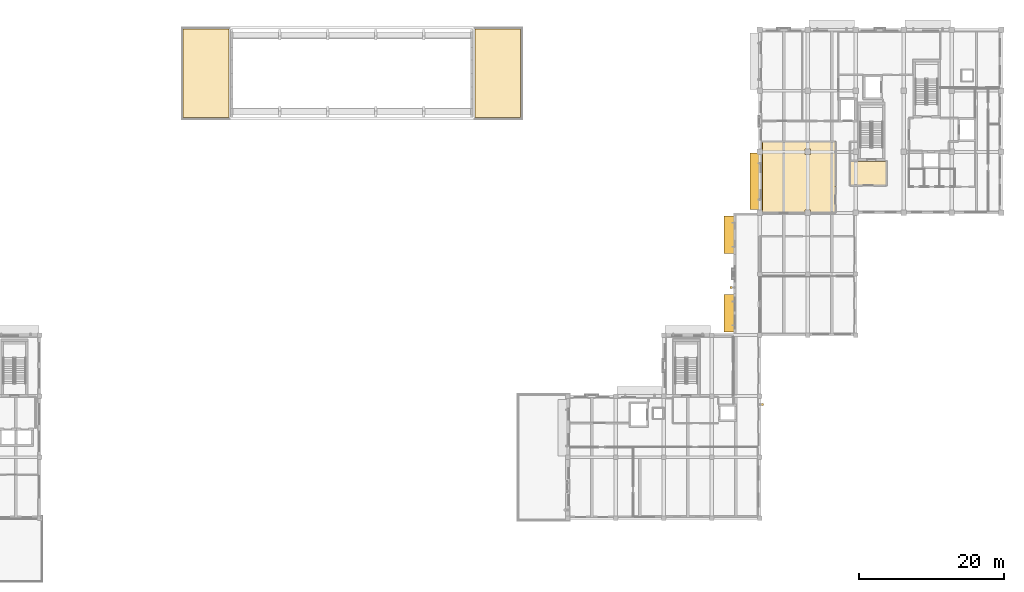
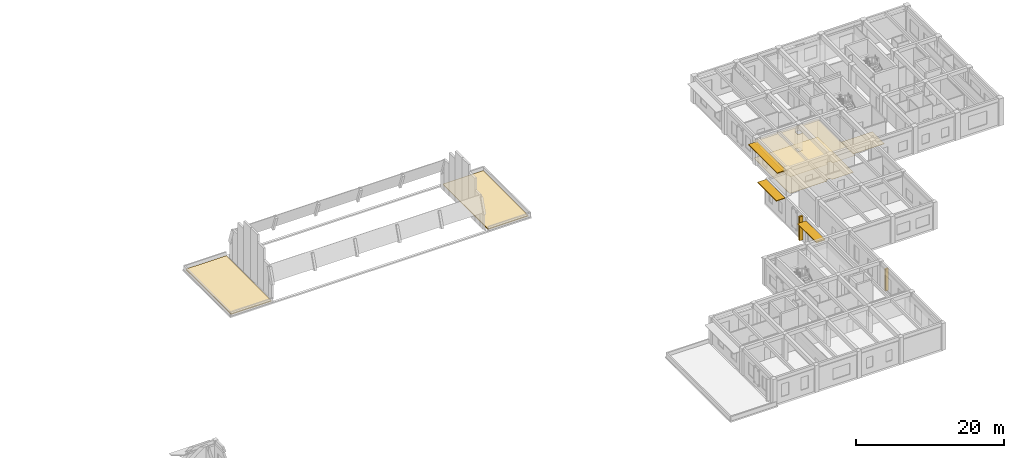
# One storey, part 23 of 25: 5 coverings, 5 shading devices.
"""IFC4 building model written with IfcOpenShell, lengths in metres."""

from ifc_helpers import new_model, si_unit, direction, frame, origin, origin_2d, place, context, subcontext, project, spatial, polyline, rectangle, outline, extrude, material, layer, layer_set, type_object, element, save


model = new_model("IFC4")

# Units and contexts
model_context = context("Model", 3, precision=1e-05, world=origin(), true_north=direction((0.0, 1.0)))
body_context = subcontext(model_context, "Body", "Model", "MODEL_VIEW")
ifc_project = project(units=[si_unit("LENGTHUNIT", "METRE"), si_unit("AREAUNIT", "SQUARE_METRE"), si_unit("VOLUMEUNIT", "CUBIC_METRE"), si_unit("PLANEANGLEUNIT", "RADIAN"), si_unit("MASSUNIT", "GRAM", prefix="KILO")], contexts=[model_context])

# Site, building, storey
site_placement = place(None, origin())
site = spatial("IfcSite", under=ifc_project, at=site_placement, CompositionType="ELEMENT")
building_placement = place(site_placement, origin())
building = spatial("IfcBuilding", under=site, at=building_placement, Name="Kolvaren Faculty of Natural Sciences", CompositionType="ELEMENT")
storey_placement = place(building_placement, frame((0.0, 0.0, 19.5)))
storey = spatial("IfcBuildingStorey", under=building, at=storey_placement, Name="L04", CompositionType="ELEMENT", Elevation=19.5)

# Covering
ifc_material_1 = material(Name="Perforated mineral-fibre acoustic suspended ceiling tile")
ifc_layer_1 = layer(ifc_material_1, 0.02490234375)
ifc_layer_set_1 = layer_set([ifc_layer_1], Name="Perforated mineral-fibre acoustic suspended ceiling tile")
covering_type_1 = type_object("IfcCoveringType", Name="AcousticSuspendedCeiling_25", PredefinedType="CEILING", material=ifc_layer_set_1)
covering_1_placement = place(storey_placement, frame((0.0, 0.0, 2.824951171875)))
element("IfcCovering", 1, at=covering_1_placement, inside=storey, type_object=covering_type_1, Name="L04 L04 Principal Investigator Research Laboratory acoustic ceiling", PredefinedType="CEILING", context=body_context, shape_type="SweptSolid", body=[
    extrude(outline(polyline([(139.02001953125, 67.02490234375), (139.175048828125, 67.02490234375), (139.175048828125, 67.77490234375), (139.02001953125, 67.77490234375), (139.02001953125, 68.8798828125), (149.280029296875, 68.8798828125), (149.280029296875, 58.919921875), (145.77490234375, 58.919921875), (145.77490234375, 59.375), (145.02490234375, 59.375), (145.02490234375, 58.919921875), (139.175048828125, 58.919921875), (139.175048828125, 59.375), (139.02001953125, 59.375), (139.02001953125, 67.02490234375)]), holes=[polyline([(145.02490234375, 67.02490234375), (145.77490234375, 67.02490234375), (145.77490234375, 67.77490234375), (145.02490234375, 67.77490234375), (145.02490234375, 67.02490234375)])]), origin(), (0.0, 0.0, 1.0), 0.025146484375),
])

# Shading devices
ifc_material_2 = material(Name="Precast concrete C35/45", Category="concrete")
ifc_layer_2 = layer(ifc_material_2, 0.1201171875)
ifc_layer_set_2 = layer_set([ifc_layer_2], Name="Precast concrete C35/45")
shading_device_type_1 = type_object("IfcShadingDeviceType", Name="ChhajjaSolarHood_1350", PredefinedType="AWNING", material=ifc_layer_set_2)
for number, where, z_axis, x_axis, name in (
    (2, (134.544921875, 45.199951171875, 3.64501953125), (0.0, 0.0, 1.0), (0.0, 1.0, 0.0), "L04 precast sandstone chhajja solar hood 125"),
    (3, (134.544921875, 56.0, 3.9599609375), (0.0, 0.0, 1.0), (0.0, 1.0, 0.0), "L04 precast sandstone chhajja solar hood 126"),
):
    element("IfcShadingDevice", number, at=place(storey_placement, frame(where, z_axis=z_axis, x_axis=x_axis)), inside=storey, type_object=shading_device_type_1, Name=name, PredefinedType="AWNING", context=body_context, shape_type="SweptSolid", body=[
        extrude(rectangle(XDim=5.10009765625, YDim=1.35009765625, at=origin_2d()), origin(), (0.0, 0.0, 1.0), 0.1201171875),
    ])
shading_device_1_placement = place(storey_placement, frame((138.14501953125, 63.35009765625, 3.64501953125), z_axis=(0.0, 0.0, 1.0), x_axis=(0.0, 1.0, 0.0)))
element("IfcShadingDevice", 4, at=shading_device_1_placement, inside=storey, type_object=shading_device_type_1, Name="L04 precast sandstone chhajja solar hood 127", PredefinedType="AWNING", context=body_context, shape_type="SweptSolid", body=[
    extrude(rectangle(XDim=7.800048828125, YDim=1.35009765625, at=origin_2d()), origin(), (0.0, 0.0, 1.0), 0.1201171875),
])
ifc_layer_3 = layer(ifc_material_2, 0.280029296875)
ifc_layer_set_3 = layer_set([ifc_layer_3], Name="Precast concrete C35/45")
shading_device_type_2 = type_object("IfcShadingDeviceType", Name="FacadeReliefFin_280x520", PredefinedType="USERDEFINED", material=ifc_layer_set_3)
shading_device_2_placement = place(storey_placement, frame((134.9599609375, 48.75, 0.1201171875), z_axis=(0.0, 0.0, 1.0), x_axis=(0.0, 1.0, 0.0)))
element("IfcShadingDevice", 5, at=shading_device_2_placement, inside=storey, type_object=shading_device_type_2, Name="L04 projecting sandstone facade relief fin 12", ObjectType="FIN", PredefinedType="USERDEFINED", context=body_context, shape_type="SweptSolid", body=[
    extrude(rectangle(XDim=0.280029296875, YDim=0.52001953125, at=origin_2d()), origin(), (0.0, 0.0, 1.0), 3.919921875),
])
shading_device_3_placement = place(storey_placement, frame((139.0400390625, 32.64990234375, 0.1201171875), z_axis=(0.0, 0.0, 1.0), x_axis=(0.0, -1.0, 0.0)))
element("IfcShadingDevice", 6, at=shading_device_3_placement, inside=storey, type_object=shading_device_type_2, Name="L04 projecting sandstone facade relief fin 13", ObjectType="FIN", PredefinedType="USERDEFINED", context=body_context, shape_type="SweptSolid", body=[
    extrude(rectangle(XDim=0.280029296875, YDim=0.52001953125, at=origin_2d()), origin(), (0.0, 0.0, 1.0), 3.60498046875),
])

# Coverings
ifc_material_3 = material(Name="SBS polymer-modified bitumen waterproofing membrane over PIR insulation")
ifc_layer_4 = layer(ifc_material_3, 0.139892578125)
ifc_layer_set_4 = layer_set([ifc_layer_4], Name="SBS polymer-modified bitumen waterproofing membrane over PIR insulation")
covering_type_2 = type_object("IfcCoveringType", Name="InsulatedRoofMembrane_140", PredefinedType="ROOFING", material=ifc_layer_set_4)
covering_2_placement = place(storey_placement, origin())
element("IfcCovering", 7, at=covering_2_placement, inside=storey, type_object=covering_type_2, Name="L04 insulated warm-roof waterproofing membrane 1", PredefinedType="ROOFING", context=body_context, shape_type="SweptSolid", body=[
    extrude(outline(polyline([(59.489990234375, 72.090087890625), (59.489990234375, 84.31005859375), (65.801513671875, 84.31005859375), (65.800048828125, 84.280029296875), (65.800048828125, 72.1201171875), (65.801513671875, 72.090087890625), (59.489990234375, 72.090087890625)])), origin(), (0.0, 0.0, 1.0), 0.139892578125),
])
covering_3_placement = place(storey_placement, origin())
element("IfcCovering", 8, at=covering_3_placement, inside=storey, type_object=covering_type_2, Name="L04 insulated warm-roof waterproofing membrane 2", PredefinedType="ROOFING", context=body_context, shape_type="SweptSolid", body=[
    extrude(outline(polyline([(99.598388671875, 72.090087890625), (99.60009765625, 72.1201171875), (99.60009765625, 84.280029296875), (99.598388671875, 84.31005859375), (105.909912109375, 84.31005859375), (105.909912109375, 72.090087890625), (99.598388671875, 72.090087890625)])), origin(), (0.0, 0.0, 1.0), 0.139892578125),
])
ifc_material_4 = material(Name="Seamless chemical-resistant laboratory epoxy resin flooring")
ifc_layer_5 = layer(ifc_material_4, 0.02001953125)
ifc_layer_set_5 = layer_set([ifc_layer_5], Name="Seamless chemical-resistant laboratory epoxy resin flooring")
covering_type_3 = type_object("IfcCoveringType", Name="LabEpoxyFloorFinish_20", PredefinedType="FLOORING", material=ifc_layer_set_5)
covering_4_placement = place(storey_placement, origin())
element("IfcCovering", 9, at=covering_4_placement, inside=storey, type_object=covering_type_3, Name="L04 L04 Principal Investigator Research Laboratory floor finish", PredefinedType="FLOORING", context=body_context, shape_type="SweptSolid", body=[
    extrude(outline(polyline([(145.77490234375, 59.06005859375), (145.77490234375, 59.375), (145.02490234375, 59.375), (145.02490234375, 59.06005859375), (139.175048828125, 59.06005859375), (139.175048828125, 59.375), (139.159912109375, 59.375), (139.159912109375, 67.02490234375), (139.175048828125, 67.02490234375), (139.175048828125, 67.77490234375), (139.159912109375, 67.77490234375), (139.159912109375, 68.739990234375), (149.139892578125, 68.739990234375), (149.139892578125, 59.06005859375), (145.77490234375, 59.06005859375)]), holes=[polyline([(145.02490234375, 67.02490234375), (145.77490234375, 67.02490234375), (145.77490234375, 67.77490234375), (145.02490234375, 67.77490234375), (145.02490234375, 67.02490234375)])]), origin(), (0.0, 0.0, 1.0), 0.02001953125),
])
ifc_material_5 = material(Name="Polished Uruguayan grey granite terrazzo flooring", Category="masonry")
ifc_layer_6 = layer(ifc_material_5, 0.030029296875)
ifc_layer_set_6 = layer_set([ifc_layer_6], Name="Polished Uruguayan grey granite terrazzo flooring")
covering_type_4 = type_object("IfcCoveringType", Name="TerrazzoFloorFinish_30", PredefinedType="FLOORING", material=ifc_layer_set_6)
covering_5_placement = place(storey_placement, origin())
element("IfcCovering", 10, at=covering_5_placement, inside=storey, type_object=covering_type_4, Name="L04 L04 Firefighting Rescue Lobby CORE-C2 floor finish", PredefinedType="FLOORING", context=body_context, shape_type="SweptSolid", body=[
    extrude(outline(polyline([(156.139892578125, 66.090087890625), (156.139892578125, 62.81005859375), (151.260009765625, 62.81005859375), (151.260009765625, 66.090087890625), (156.139892578125, 66.090087890625)])), origin(), (0.0, 0.0, 1.0), 0.030029296875),
])

save(model, "model.ifc")
